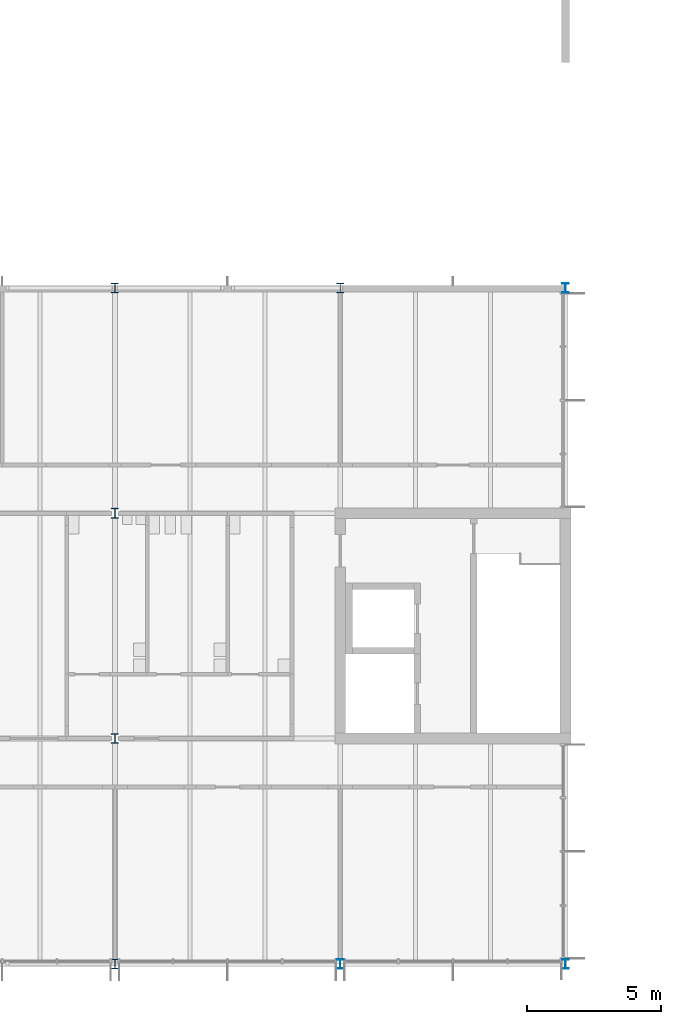
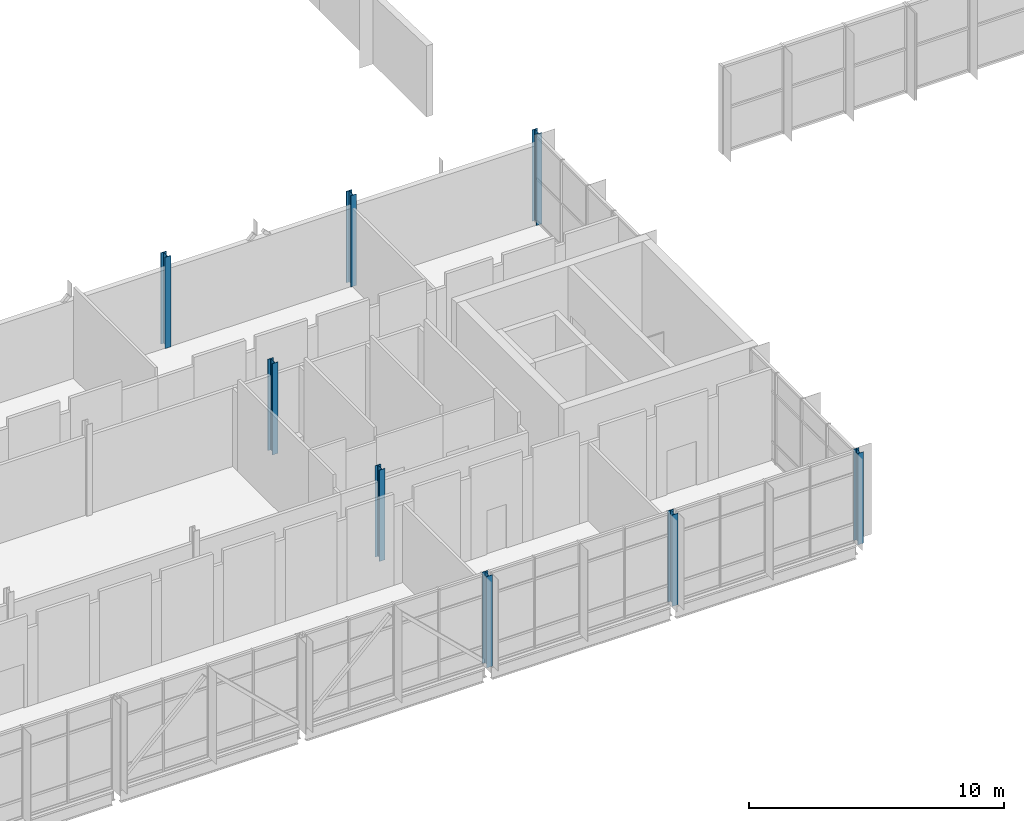
# One storey, part 2 of 72: 8 columns.
"""IFC4 building model written with IfcOpenShell, lengths in metres."""

from ifc_helpers import new_model, si_unit, direction, frame, origin, origin_2d, place, context, subcontext, project, spatial, i_section, extrude, material, material_profile, profile_set, type_object, element, save


model = new_model("IFC4")

# Units and contexts
model_context = context("Model", 3, precision=1e-05, world=origin(), true_north=direction((0.0, 1.0)))
body_context = subcontext(model_context, "Body", "Model", "MODEL_VIEW")
ifc_project = project(units=[si_unit("LENGTHUNIT", "METRE"), si_unit("AREAUNIT", "SQUARE_METRE"), si_unit("VOLUMEUNIT", "CUBIC_METRE"), si_unit("PLANEANGLEUNIT", "RADIAN"), si_unit("MASSUNIT", "GRAM", prefix="KILO")], contexts=[model_context])

# Site, building, storey
site_placement = place(None, origin())
site = spatial("IfcSite", under=ifc_project, at=site_placement, CompositionType="ELEMENT")
building_placement = place(site_placement, origin())
building = spatial("IfcBuilding", under=site, at=building_placement, Name="Hlaing Beacon Police Headquarters", CompositionType="ELEMENT")
storey_placement = place(building_placement, frame((0.0, 0.0, 14.39990234375)))
storey = spatial("IfcBuildingStorey", under=building, at=storey_placement, Name="L03", CompositionType="ELEMENT", Elevation=14.39990234375)

# Columns
ifc_material_1 = material(Name="Steel ASTM A992 Grade 50", Category="steel")
ifc_material_profile_1 = material_profile(ifc_material_1, i_section(OverallWidth=0.25390625, OverallDepth=0.35302734375, WebThickness=0.009521484375, FlangeThickness=0.016357421875, FilletRadius=0.01513671875, at=origin_2d()), Name="W14x61")
ifc_profile_set_1 = profile_set([ifc_material_profile_1], Name="Steel ASTM A992 Grade 50")
column_type_1 = type_object("IfcColumnType", Name="Steel column W14x61", PredefinedType="COLUMN", material=ifc_profile_set_1)
for number, where, z_axis, x_axis, name in (
    (1, (50.39990234375, 8.39990234375, 0.0), (0.0, 0.0, 1.0), (1.0, 0.0, 0.0), "STR-COL-L03-G2"),
    (2, (58.800048828125, 8.39990234375, 0.0), (0.0, 0.0, 1.0), (1.0, 0.0, 0.0), "STR-COL-L03-H2"),
    (3, (58.800048828125, 33.60009765625, 0.0), (0.0, 0.0, 1.0), (1.0, 0.0, 0.0), "STR-COL-L03-H5"),
):
    element("IfcColumn", number, at=place(storey_placement, frame(where, z_axis=z_axis, x_axis=x_axis)), inside=storey, type_object=column_type_1, Name=name, PredefinedType="COLUMN", context=body_context, shape_type="SweptSolid", body=[
        extrude(i_section(OverallWidth=0.25390625, OverallDepth=0.35302734375, WebThickness=0.009521484375, FlangeThickness=0.016357421875, FilletRadius=0.01513671875, at=origin_2d()), origin(), (0.0, 0.0, 1.0), 4.3701171875),
    ])
ifc_material_2 = material(Name="Steel ASTM A992 Grade 50", Category="steel")
ifc_material_profile_2 = material_profile(ifc_material_2, i_section(OverallWidth=0.256591796875, OverallDepth=0.360595703125, WebThickness=0.011474609375, FlangeThickness=0.02001953125, FilletRadius=0.01513671875, at=origin_2d()), Name="W14x74")
ifc_profile_set_2 = profile_set([ifc_material_profile_2], Name="Steel ASTM A992 Grade 50")
column_type_2 = type_object("IfcColumnType", Name="Steel column W14x74", PredefinedType="COLUMN", material=ifc_profile_set_2)
for number, where, z_axis, x_axis, name in (
    (4, (42.0, 16.800048828125, 0.0), (0.0, 0.0, 1.0), (1.0, 0.0, 0.0), "STR-COL-L03-F3"),
    (5, (42.0, 25.199951171875, 0.0), (0.0, 0.0, 1.0), (1.0, 0.0, 0.0), "STR-COL-L03-F4"),
):
    element("IfcColumn", number, at=place(storey_placement, frame(where, z_axis=z_axis, x_axis=x_axis)), inside=storey, type_object=column_type_2, Name=name, PredefinedType="COLUMN", context=body_context, shape_type="SweptSolid", body=[
        extrude(i_section(OverallWidth=0.256591796875, OverallDepth=0.360595703125, WebThickness=0.011474609375, FlangeThickness=0.02001953125, FilletRadius=0.01513671875, at=origin_2d()), origin(), (0.0, 0.0, 1.0), 4.3701171875),
    ])
ifc_material_3 = material(Name="Steel ASTM A992 Grade 50", Category="steel")
ifc_material_profile_3 = material_profile(ifc_material_3, i_section(OverallWidth=0.256591796875, OverallDepth=0.36328125, WebThickness=0.012939453125, FlangeThickness=0.021728515625, FilletRadius=0.01513671875, at=origin_2d()), Name="W14x82")
ifc_profile_set_3 = profile_set([ifc_material_profile_3], Name="Steel ASTM A992 Grade 50")
column_type_3 = type_object("IfcColumnType", Name="Steel column W14x82", PredefinedType="COLUMN", material=ifc_profile_set_3)
for number, where, z_axis, x_axis, name in (
    (6, (42.0, 8.39990234375, 0.0), (0.0, 0.0, 1.0), (1.0, 0.0, 0.0), "STR-COL-L03-F2"),
    (7, (42.0, 33.60009765625, 0.0), (0.0, 0.0, 1.0), (1.0, 0.0, 0.0), "STR-COL-L03-F5"),
    (8, (50.39990234375, 33.60009765625, 0.0), (0.0, 0.0, 1.0), (1.0, 0.0, 0.0), "STR-COL-L03-G5"),
):
    element("IfcColumn", number, at=place(storey_placement, frame(where, z_axis=z_axis, x_axis=x_axis)), inside=storey, type_object=column_type_3, Name=name, PredefinedType="COLUMN", context=body_context, shape_type="SweptSolid", body=[
        extrude(i_section(OverallWidth=0.256591796875, OverallDepth=0.36328125, WebThickness=0.012939453125, FlangeThickness=0.021728515625, FilletRadius=0.01513671875, at=origin_2d()), origin(), (0.0, 0.0, 1.0), 4.3701171875),
    ])

save(model, "model.ifc")
